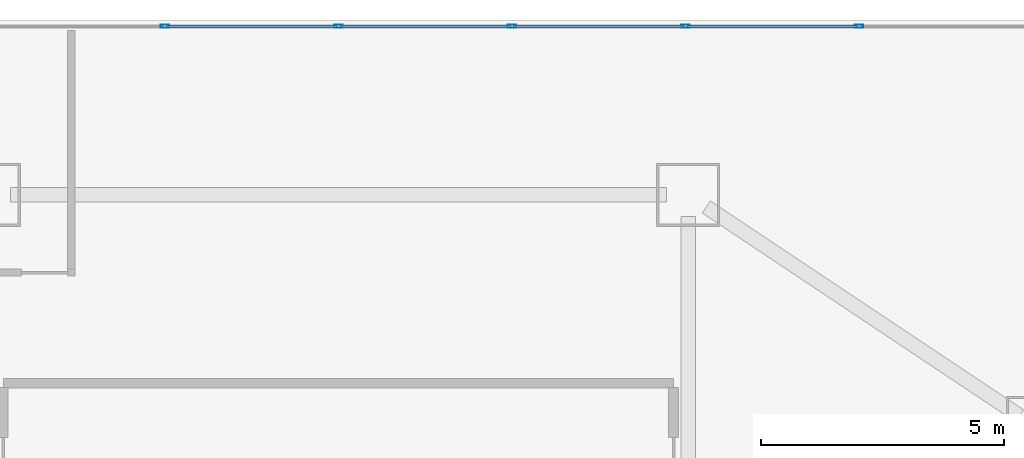
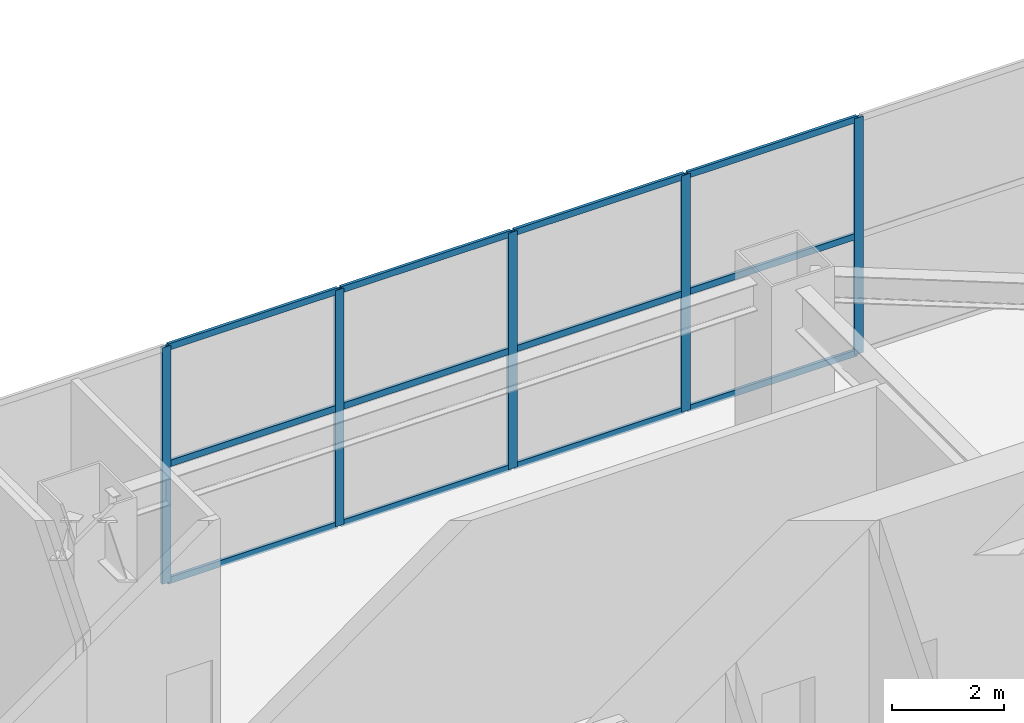
# One storey, part 19 of 37: 17 members, 1 element without a shape of its own.
"""IFC4 building model written with IfcOpenShell, lengths in metres."""

from ifc_helpers import new_model, si_unit, direction, frame, origin, origin_2d, place, context, subcontext, project, spatial, hollow_rectangle, extrude, material, layer, layer_set, material_profile, profile_set, type_object, element, aggregate, save


model = new_model("IFC4")

# Units and contexts
model_context = context("Model", 3, precision=1e-05, world=origin(), true_north=direction((0.0, 1.0)))
body_context = subcontext(model_context, "Body", "Model", "MODEL_VIEW")
ifc_project = project(units=[si_unit("LENGTHUNIT", "METRE"), si_unit("AREAUNIT", "SQUARE_METRE"), si_unit("VOLUMEUNIT", "CUBIC_METRE"), si_unit("PLANEANGLEUNIT", "RADIAN"), si_unit("MASSUNIT", "GRAM", prefix="KILO")], contexts=[model_context])

# Site, building, storey
site_placement = place(None, origin())
site = spatial("IfcSite", under=ifc_project, at=site_placement, CompositionType="ELEMENT")
building_placement = place(site_placement, origin())
building = spatial("IfcBuilding", under=site, at=building_placement, Name="Haolan Belvedere Tower", CompositionType="ELEMENT")
storey_placement = place(building_placement, frame((0.0, 0.0, 10.199951171875)))
storey = spatial("IfcBuildingStorey", under=building, at=storey_placement, Name="L02", CompositionType="ELEMENT", Elevation=10.199951171875)

# Curtain wall, members
ifc_material_1 = material(Name="Anodised champagne-silver aluminium 6063-T6 and Low-E glass", Category="aluminium")
ifc_layer = layer(ifc_material_1, 0.179931640625, Name="Anodised champagne-silver aluminium 6063-T6 and Low-E glass")
ifc_layer_set = layer_set([ifc_layer], Name="Anodised champagne-silver aluminium 6063-T6 and Low-E glass")
curtain_wall_type = type_object("IfcCurtainWallType", Name="CW-SYS-01", PredefinedType="NOTDEFINED", material=ifc_layer_set)
curtain_wall_placement = place(storey_placement, origin())
curtain_wall = element("IfcCurtainWall", 1, at=curtain_wall_placement, inside=storey, type_object=curtain_wall_type, Name="L02 CW-SYS-01 ribbon curtain wall 3.1", PredefinedType="NOTDEFINED")
ifc_material_2 = material(Name="Anodised aluminium 6063-T6", Category="aluminium")
ifc_material_profile_1 = material_profile(ifc_material_2, hollow_rectangle(XDim=0.06494140625, YDim=0.179931640625, WallThickness=0.00390625, at=origin_2d()), Name="Anodised aluminium 6063-T6")
ifc_profile_set_1 = profile_set([ifc_material_profile_1], Name="Anodised aluminium 6063-T6")
member_type_1 = type_object("IfcMemberType", Name="CW-SYS-01-MUL", PredefinedType="MULLION", material=ifc_profile_set_1)
member_1_placement = place(storey_placement, frame((49.118896484375, 53.8701171875, 0.0), z_axis=(0.0, 0.0, 1.0), x_axis=(0.0, -1.0, 0.0)))
member_1 = element("IfcMember", 2, at=member_1_placement, type_object=member_type_1, Name="CW-01 mullion 8", PredefinedType="MULLION", context=body_context, shape_type="SweptSolid", body=[
    extrude(hollow_rectangle(XDim=0.06494140625, YDim=0.179931640625, WallThickness=0.00390625, at=origin_2d()), origin(), (0.0, 0.0, 1.0), 5.16015625),
])
member_2_placement = place(storey_placement, frame((45.5458984375, 53.8701171875, 0.0), z_axis=(0.0, 0.0, 1.0), x_axis=(0.0, -1.0, 0.0)))
member_2 = element("IfcMember", 3, at=member_2_placement, type_object=member_type_1, Name="CW-01 mullion 9", PredefinedType="MULLION", context=body_context, shape_type="SweptSolid", body=[
    extrude(hollow_rectangle(XDim=0.06494140625, YDim=0.179931640625, WallThickness=0.00390625, at=origin_2d()), origin(), (0.0, 0.0, 1.0), 5.16015625),
])
member_3_placement = place(storey_placement, frame((41.972900390625, 53.8701171875, 0.0), z_axis=(0.0, 0.0, 1.0), x_axis=(0.0, -1.0, 0.0)))
member_3 = element("IfcMember", 4, at=member_3_placement, type_object=member_type_1, Name="CW-01 mullion 10", PredefinedType="MULLION", context=body_context, shape_type="SweptSolid", body=[
    extrude(hollow_rectangle(XDim=0.06494140625, YDim=0.179931640625, WallThickness=0.00390625, at=origin_2d()), origin(), (0.0, 0.0, 1.0), 5.16015625),
])
member_4_placement = place(storey_placement, frame((38.39990234375, 53.8701171875, 0.0), z_axis=(0.0, 0.0, 1.0), x_axis=(0.0, -1.0, 0.0)))
member_4 = element("IfcMember", 5, at=member_4_placement, type_object=member_type_1, Name="CW-01 mullion 11", PredefinedType="MULLION", context=body_context, shape_type="SweptSolid", body=[
    extrude(hollow_rectangle(XDim=0.06494140625, YDim=0.179931640625, WallThickness=0.00390625, at=origin_2d()), origin(), (0.0, 0.0, 1.0), 5.16015625),
])
member_5_placement = place(storey_placement, frame((34.826904296875, 53.8701171875, 0.0), z_axis=(0.0, 0.0, 1.0), x_axis=(0.0, -1.0, 0.0)))
member_5 = element("IfcMember", 6, at=member_5_placement, type_object=member_type_1, Name="CW-01 mullion 12", PredefinedType="MULLION", context=body_context, shape_type="SweptSolid", body=[
    extrude(hollow_rectangle(XDim=0.06494140625, YDim=0.179931640625, WallThickness=0.00390625, at=origin_2d()), origin(), (0.0, 0.0, 1.0), 5.16015625),
])
ifc_material_profile_2 = material_profile(ifc_material_2, hollow_rectangle(XDim=0.06005859375, YDim=0.139892578125, WallThickness=0.00390625, at=origin_2d()), Name="Anodised aluminium 6063-T6")
ifc_profile_set_2 = profile_set([ifc_material_profile_2], Name="Anodised aluminium 6063-T6")
member_type_2 = type_object("IfcMemberType", Name="CW-SYS-01-TRN", PredefinedType="USERDEFINED", material=ifc_profile_set_2)
member_6_placement = place(storey_placement, frame((49.08642578125, 53.8701171875, 0.030029296875), z_axis=(-1.0, 0.0, 0.0), x_axis=(0.0, -1.0, 0.0)))
member_6 = element("IfcMember", 7, at=member_6_placement, type_object=member_type_2, Name="CW-01 transom 8.1", ObjectType="TRANSOM", PredefinedType="USERDEFINED", context=body_context, shape_type="SweptSolid", body=[
    extrude(hollow_rectangle(XDim=0.06005859375, YDim=0.139892578125, WallThickness=0.00390625, at=origin_2d()), origin(), (0.0, 0.0, 1.0), 3.5078125),
])
member_7_placement = place(storey_placement, frame((49.08642578125, 53.8701171875, 2.580078125), z_axis=(-1.0, 0.0, 0.0), x_axis=(0.0, -1.0, 0.0)))
member_7 = element("IfcMember", 8, at=member_7_placement, type_object=member_type_2, Name="CW-01 transom 8.2", ObjectType="TRANSOM", PredefinedType="USERDEFINED", context=body_context, shape_type="SweptSolid", body=[
    extrude(hollow_rectangle(XDim=0.06005859375, YDim=0.139892578125, WallThickness=0.00390625, at=origin_2d()), origin(), (0.0, 0.0, 1.0), 3.5078125),
])
member_8_placement = place(storey_placement, frame((49.08642578125, 53.8701171875, 5.130126953125), z_axis=(-1.0, 0.0, 0.0), x_axis=(0.0, -1.0, 0.0)))
member_8 = element("IfcMember", 9, at=member_8_placement, type_object=member_type_2, Name="CW-01 transom 8.3", ObjectType="TRANSOM", PredefinedType="USERDEFINED", context=body_context, shape_type="SweptSolid", body=[
    extrude(hollow_rectangle(XDim=0.06005859375, YDim=0.139892578125, WallThickness=0.00390625, at=origin_2d()), origin(), (0.0, 0.0, 1.0), 3.5078125),
])
member_9_placement = place(storey_placement, frame((45.513427734375, 53.8701171875, 0.030029296875), z_axis=(-1.0, 0.0, 0.0), x_axis=(0.0, -1.0, 0.0)))
member_9 = element("IfcMember", 10, at=member_9_placement, type_object=member_type_2, Name="CW-01 transom 9.1", ObjectType="TRANSOM", PredefinedType="USERDEFINED", context=body_context, shape_type="SweptSolid", body=[
    extrude(hollow_rectangle(XDim=0.06005859375, YDim=0.139892578125, WallThickness=0.00390625, at=origin_2d()), origin(), (0.0, 0.0, 1.0), 3.5078125),
])
member_10_placement = place(storey_placement, frame((45.513427734375, 53.8701171875, 2.580078125), z_axis=(-1.0, 0.0, 0.0), x_axis=(0.0, -1.0, 0.0)))
member_10 = element("IfcMember", 11, at=member_10_placement, type_object=member_type_2, Name="CW-01 transom 9.2", ObjectType="TRANSOM", PredefinedType="USERDEFINED", context=body_context, shape_type="SweptSolid", body=[
    extrude(hollow_rectangle(XDim=0.06005859375, YDim=0.139892578125, WallThickness=0.00390625, at=origin_2d()), origin(), (0.0, 0.0, 1.0), 3.5078125),
])
member_11_placement = place(storey_placement, frame((45.513427734375, 53.8701171875, 5.130126953125), z_axis=(-1.0, 0.0, 0.0), x_axis=(0.0, -1.0, 0.0)))
member_11 = element("IfcMember", 12, at=member_11_placement, type_object=member_type_2, Name="CW-01 transom 9.3", ObjectType="TRANSOM", PredefinedType="USERDEFINED", context=body_context, shape_type="SweptSolid", body=[
    extrude(hollow_rectangle(XDim=0.06005859375, YDim=0.139892578125, WallThickness=0.00390625, at=origin_2d()), origin(), (0.0, 0.0, 1.0), 3.5078125),
])
member_12_placement = place(storey_placement, frame((41.9404296875, 53.8701171875, 0.030029296875), z_axis=(-1.0, 0.0, 0.0), x_axis=(0.0, -1.0, 0.0)))
member_12 = element("IfcMember", 13, at=member_12_placement, type_object=member_type_2, Name="CW-01 transom 10.1", ObjectType="TRANSOM", PredefinedType="USERDEFINED", context=body_context, shape_type="SweptSolid", body=[
    extrude(hollow_rectangle(XDim=0.06005859375, YDim=0.139892578125, WallThickness=0.00390625, at=origin_2d()), origin(), (0.0, 0.0, 1.0), 3.5078125),
])
member_13_placement = place(storey_placement, frame((41.9404296875, 53.8701171875, 2.580078125), z_axis=(-1.0, 0.0, 0.0), x_axis=(0.0, -1.0, 0.0)))
member_13 = element("IfcMember", 14, at=member_13_placement, type_object=member_type_2, Name="CW-01 transom 10.2", ObjectType="TRANSOM", PredefinedType="USERDEFINED", context=body_context, shape_type="SweptSolid", body=[
    extrude(hollow_rectangle(XDim=0.06005859375, YDim=0.139892578125, WallThickness=0.00390625, at=origin_2d()), origin(), (0.0, 0.0, 1.0), 3.5078125),
])
member_14_placement = place(storey_placement, frame((41.9404296875, 53.8701171875, 5.130126953125), z_axis=(-1.0, 0.0, 0.0), x_axis=(0.0, -1.0, 0.0)))
member_14 = element("IfcMember", 15, at=member_14_placement, type_object=member_type_2, Name="CW-01 transom 10.3", ObjectType="TRANSOM", PredefinedType="USERDEFINED", context=body_context, shape_type="SweptSolid", body=[
    extrude(hollow_rectangle(XDim=0.06005859375, YDim=0.139892578125, WallThickness=0.00390625, at=origin_2d()), origin(), (0.0, 0.0, 1.0), 3.5078125),
])
member_15_placement = place(storey_placement, frame((38.367431640625, 53.8701171875, 0.030029296875), z_axis=(-1.0, 0.0, 0.0), x_axis=(0.0, -1.0, 0.0)))
member_15 = element("IfcMember", 16, at=member_15_placement, type_object=member_type_2, Name="CW-01 transom 11.1", ObjectType="TRANSOM", PredefinedType="USERDEFINED", context=body_context, shape_type="SweptSolid", body=[
    extrude(hollow_rectangle(XDim=0.06005859375, YDim=0.139892578125, WallThickness=0.00390625, at=origin_2d()), origin(), (0.0, 0.0, 1.0), 3.5078125),
])
member_16_placement = place(storey_placement, frame((38.367431640625, 53.8701171875, 2.580078125), z_axis=(-1.0, 0.0, 0.0), x_axis=(0.0, -1.0, 0.0)))
member_16 = element("IfcMember", 17, at=member_16_placement, type_object=member_type_2, Name="CW-01 transom 11.2", ObjectType="TRANSOM", PredefinedType="USERDEFINED", context=body_context, shape_type="SweptSolid", body=[
    extrude(hollow_rectangle(XDim=0.06005859375, YDim=0.139892578125, WallThickness=0.00390625, at=origin_2d()), origin(), (0.0, 0.0, 1.0), 3.5078125),
])
member_17_placement = place(storey_placement, frame((38.367431640625, 53.8701171875, 5.130126953125), z_axis=(-1.0, 0.0, 0.0), x_axis=(0.0, -1.0, 0.0)))
member_17 = element("IfcMember", 18, at=member_17_placement, type_object=member_type_2, Name="CW-01 transom 11.3", ObjectType="TRANSOM", PredefinedType="USERDEFINED", context=body_context, shape_type="SweptSolid", body=[
    extrude(hollow_rectangle(XDim=0.06005859375, YDim=0.139892578125, WallThickness=0.00390625, at=origin_2d()), origin(), (0.0, 0.0, 1.0), 3.5078125),
])
aggregate(curtain_wall, [member_1, member_2, member_3, member_4, member_5, member_6, member_7, member_8, member_9, member_10, member_11, member_12, member_13, member_14, member_15, member_16, member_17])

save(model, "model.ifc")
